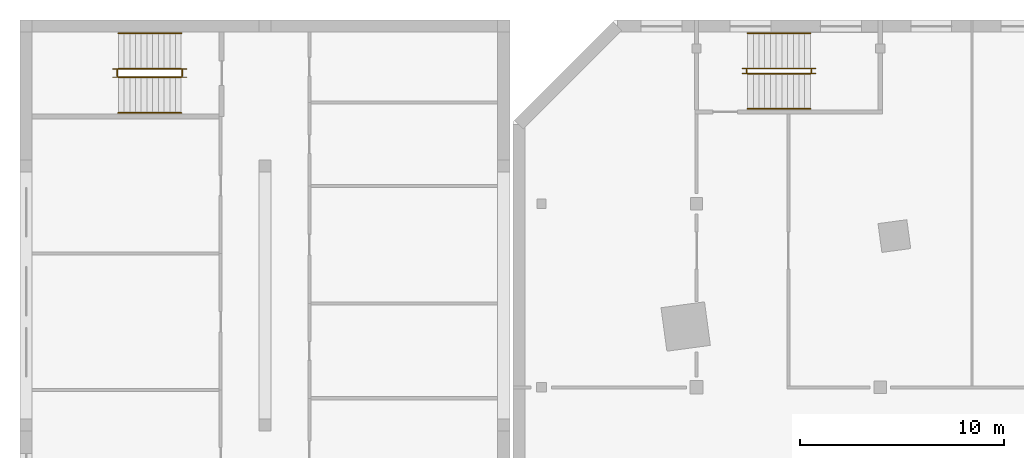
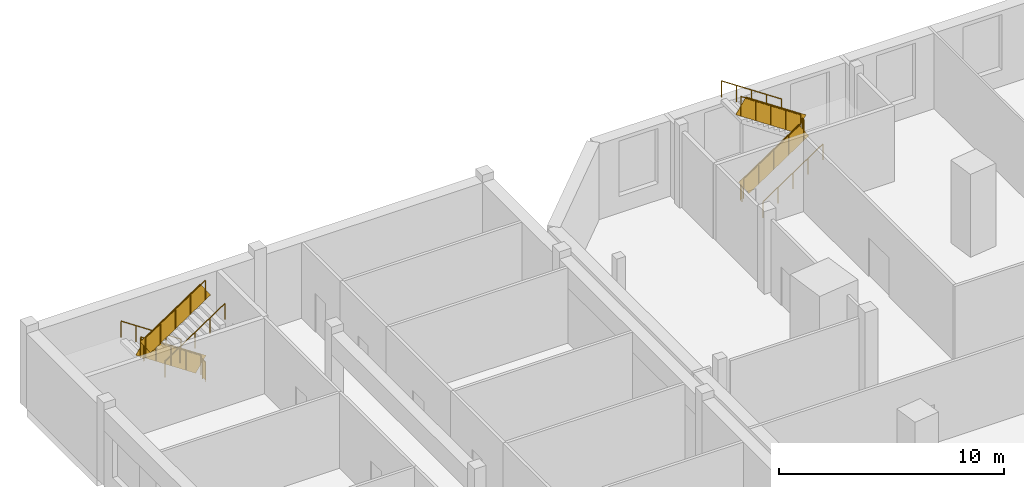
# One storey, part 17 of 18: 12 railings.
"""IFC4 building model written with IfcOpenShell, lengths in metres."""

from ifc_helpers import new_model, si_unit, direction, frame, origin, origin_2d, place, context, subcontext, project, spatial, rectangle, circle, extrude, material, type_object, element, save


model = new_model("IFC4")

# Units and contexts
model_context = context("Model", 3, precision=1e-05, world=origin(), true_north=direction((0.0, 1.0)))
body_context = subcontext(model_context, "Body", "Model", "MODEL_VIEW")
ifc_project = project(units=[si_unit("LENGTHUNIT", "METRE"), si_unit("AREAUNIT", "SQUARE_METRE"), si_unit("VOLUMEUNIT", "CUBIC_METRE"), si_unit("PLANEANGLEUNIT", "RADIAN"), si_unit("MASSUNIT", "GRAM", prefix="KILO")], contexts=[model_context])

# Site, building, storey
site_placement = place(None, origin())
site = spatial("IfcSite", under=ifc_project, at=site_placement, CompositionType="ELEMENT")
building_placement = place(site_placement, origin())
building = spatial("IfcBuilding", under=site, at=building_placement, Name="Dilmun Exchange Tower", CompositionType="ELEMENT")
storey_placement = place(building_placement, frame((0.0, 0.0, 13.5)))
storey = spatial("IfcBuildingStorey", under=building, at=storey_placement, Name="L03", CompositionType="ELEMENT", Elevation=13.5)

# Railings
ifc_material_1 = material(Name="Guard 1100")
railing_type_1 = type_object("IfcRailingType", Name="Guard 1100", PredefinedType="GUARDRAIL", material=ifc_material_1)
railing_1_placement = place(storey_placement, frame((-24.5, 33.3740234375, 0.1875)))
element("IfcRailing", 1, at=railing_1_placement, inside=storey, type_object=railing_type_1, Name="L03 PS1 stair guard 1", PredefinedType="GUARDRAIL", context=body_context, shape_type="SweptSolid", body=[
    extrude(circle(Radius=0.02392578125, at=origin_2d()), frame((0.0, 0.0, 1.076171875), z_axis=(0.830913701846, 0.0, 0.55640131208), x_axis=(0.0, 1.0, 0.0)), (0.0, 0.0, 1.0), 3.706787109375),
    extrude(rectangle(XDim=0.011962890625, YDim=0.951904296875, at=origin_2d()), frame((0.0, 0.0, 0.576171875), z_axis=(0.830913701846, 0.0, 0.55640131208), x_axis=(0.0, 1.0, 0.0)), (0.0, 0.0, 1.0), 3.706787109375),
    extrude(circle(Radius=0.02099609375, at=origin_2d()), origin(), (0.0, 0.0, 1.0), 1.052001953125),
    extrude(circle(Radius=0.02099609375, at=origin_2d()), frame((0.77001953125, 0.0, 0.515625)), (0.0, 0.0, 1.0), 1.052001953125),
    extrude(circle(Radius=0.02099609375, at=origin_2d()), frame((1.5400390625, 0.0, 1.03125)), (0.0, 0.0, 1.0), 1.052001953125),
    extrude(circle(Radius=0.02099609375, at=origin_2d()), frame((2.31005859375, 0.0, 1.546875)), (0.0, 0.0, 1.0), 1.052001953125),
    extrude(circle(Radius=0.02099609375, at=origin_2d()), frame((3.080078125, 0.0, 2.0625)), (0.0, 0.0, 1.0), 1.052001953125),
])
railing_2_placement = place(storey_placement, frame((-21.3701171875, 33.424072265625, 2.25)))
element("IfcRailing", 2, at=railing_2_placement, inside=storey, type_object=railing_type_1, Name="L03 PS1 stair guard 2", PredefinedType="GUARDRAIL", context=body_context, shape_type="SweptSolid", body=[
    extrude(circle(Radius=0.02392578125, at=origin_2d()), frame((0.0, 0.0, 1.076171875), z_axis=(0.0, 1.0, 0.0), x_axis=(-1.0, 0.0, 0.0)), (0.0, 0.0, 1.0), 0.14990234375),
    extrude(rectangle(XDim=0.011962890625, YDim=0.951904296875, at=origin_2d()), frame((0.0, 0.0, 0.576171875), z_axis=(0.0, 1.0, 0.0), x_axis=(-1.0, 0.0, 0.0)), (0.0, 0.0, 1.0), 0.14990234375),
    extrude(circle(Radius=0.02099609375, at=origin_2d()), origin(), (0.0, 0.0, 1.0), 1.052001953125),
    extrude(circle(Radius=0.02099609375, at=origin_2d()), frame((0.0, 0.14990234375, 0.0)), (0.0, 0.0, 1.0), 1.052001953125),
])
railing_3_placement = place(storey_placement, frame((-21.419921875, 33.6240234375, 2.4375)))
element("IfcRailing", 3, at=railing_3_placement, inside=storey, type_object=railing_type_1, Name="L03 PS1 stair guard 3", PredefinedType="GUARDRAIL", context=body_context, shape_type="SweptSolid", body=[
    extrude(circle(Radius=0.02392578125, at=origin_2d()), frame((0.0, 0.0, 1.076171875), z_axis=(-0.830913701846, 0.0, 0.55640131208), x_axis=(0.0, -1.0, 0.0)), (0.0, 0.0, 1.0), 3.706787109375),
    extrude(rectangle(XDim=0.011962890625, YDim=0.951904296875, at=origin_2d()), frame((0.0, 0.0, 0.576171875), z_axis=(-0.830913701846, 0.0, 0.55640131208), x_axis=(0.0, -1.0, 0.0)), (0.0, 0.0, 1.0), 3.706787109375),
    extrude(circle(Radius=0.02099609375, at=origin_2d()), origin(), (0.0, 0.0, 1.0), 1.052001953125),
    extrude(circle(Radius=0.02099609375, at=origin_2d()), frame((-0.77001953125, 0.0, 0.515625)), (0.0, 0.0, 1.0), 1.052001953125),
    extrude(circle(Radius=0.02099609375, at=origin_2d()), frame((-1.5400390625, 0.0, 1.03125)), (0.0, 0.0, 1.0), 1.052001953125),
    extrude(circle(Radius=0.02099609375, at=origin_2d()), frame((-2.31005859375, 0.0, 1.546875)), (0.0, 0.0, 1.0), 1.052001953125),
    extrude(circle(Radius=0.02099609375, at=origin_2d()), frame((-3.080078125, 0.0, 2.0625)), (0.0, 0.0, 1.0), 1.052001953125),
])
railing_4_placement = place(storey_placement, frame((-24.550048828125, 33.424072265625, 0.0)))
element("IfcRailing", 4, at=railing_4_placement, inside=storey, type_object=railing_type_1, Name="L03 PS1 stair guard 4", PredefinedType="GUARDRAIL", context=body_context, shape_type="SweptSolid", body=[
    extrude(circle(Radius=0.02392578125, at=origin_2d()), frame((0.0, 0.0, 1.076171875), z_axis=(0.0, 1.0, 0.0), x_axis=(-1.0, 0.0, 0.0)), (0.0, 0.0, 1.0), 0.14990234375),
    extrude(rectangle(XDim=0.011962890625, YDim=0.951904296875, at=origin_2d()), frame((0.0, 0.0, 0.576171875), z_axis=(0.0, 1.0, 0.0), x_axis=(-1.0, 0.0, 0.0)), (0.0, 0.0, 1.0), 0.14990234375),
    extrude(circle(Radius=0.02099609375, at=origin_2d()), origin(), (0.0, 0.0, 1.0), 1.052001953125),
    extrude(circle(Radius=0.02099609375, at=origin_2d()), frame((0.0, 0.14990234375, 0.0)), (0.0, 0.0, 1.0), 1.052001953125),
])
ifc_material_2 = material(Name="Handrail 900")
railing_type_2 = type_object("IfcRailingType", Name="Handrail 900", PredefinedType="HANDRAIL", material=ifc_material_2)
railing_5_placement = place(storey_placement, frame((-24.5, 31.64990234375, 0.1875)))
element("IfcRailing", 5, at=railing_5_placement, inside=storey, type_object=railing_type_2, Name="L03 PS1 stair handrail 1", PredefinedType="HANDRAIL", context=body_context, shape_type="SweptSolid", body=[
    extrude(circle(Radius=0.02392578125, at=origin_2d()), frame((0.0, 0.0, 0.8759765625), z_axis=(0.830913701846, 0.0, 0.55640131208), x_axis=(0.0, 1.0, 0.0)), (0.0, 0.0, 1.0), 3.706787109375),
    extrude(circle(Radius=0.02099609375, at=origin_2d()), origin(), (0.0, 0.0, 1.0), 0.851806640625),
    extrude(circle(Radius=0.02099609375, at=origin_2d()), frame((0.77001953125, 0.0, 0.515625)), (0.0, 0.0, 1.0), 0.851806640625),
    extrude(circle(Radius=0.02099609375, at=origin_2d()), frame((1.5400390625, 0.0, 1.03125)), (0.0, 0.0, 1.0), 0.851806640625),
    extrude(circle(Radius=0.02099609375, at=origin_2d()), frame((2.31005859375, 0.0, 1.546875)), (0.0, 0.0, 1.0), 0.851806640625),
    extrude(circle(Radius=0.02099609375, at=origin_2d()), frame((3.080078125, 0.0, 2.0625)), (0.0, 0.0, 1.0), 0.851806640625),
])
railing_6_placement = place(storey_placement, frame((-21.419921875, 35.347900390625, 2.4375)))
element("IfcRailing", 6, at=railing_6_placement, inside=storey, type_object=railing_type_2, Name="L03 PS1 stair handrail 2", PredefinedType="HANDRAIL", context=body_context, shape_type="SweptSolid", body=[
    extrude(circle(Radius=0.02392578125, at=origin_2d()), frame((0.0, 0.0, 0.8759765625), z_axis=(-0.830913701846, 0.0, 0.55640131208), x_axis=(0.0, -1.0, 0.0)), (0.0, 0.0, 1.0), 3.706787109375),
    extrude(circle(Radius=0.02099609375, at=origin_2d()), origin(), (0.0, 0.0, 1.0), 0.851806640625),
    extrude(circle(Radius=0.02099609375, at=origin_2d()), frame((-0.77001953125, 0.0, 0.515625)), (0.0, 0.0, 1.0), 0.851806640625),
    extrude(circle(Radius=0.02099609375, at=origin_2d()), frame((-1.5400390625, 0.0, 1.03125)), (0.0, 0.0, 1.0), 0.851806640625),
    extrude(circle(Radius=0.02099609375, at=origin_2d()), frame((-2.31005859375, 0.0, 1.546875)), (0.0, 0.0, 1.0), 0.851806640625),
    extrude(circle(Radius=0.02099609375, at=origin_2d()), frame((-3.080078125, 0.0, 2.0625)), (0.0, 0.0, 1.0), 0.851806640625),
])
ifc_material_3 = material(Name="Steel S355", Category="steel")
railing_type_3 = type_object("IfcRailingType", Name="School stair guard 1100", PredefinedType="GUARDRAIL", material=ifc_material_3)
railing_7_placement = place(storey_placement, frame((-52.25, 33.60009765625, 0.1875)))
element("IfcRailing", 7, at=railing_7_placement, inside=storey, type_object=railing_type_3, Name="L03 SCH-S1 stair guard 1", PredefinedType="GUARDRAIL", context=body_context, shape_type="SweptSolid", body=[
    extrude(circle(Radius=0.02392578125, at=origin_2d()), frame((0.0, 0.0, 1.076171875), z_axis=(-0.830913701846, 0.0, 0.55640131208), x_axis=(0.0, -1.0, 0.0)), (0.0, 0.0, 1.0), 3.706787109375),
    extrude(rectangle(XDim=0.011962890625, YDim=0.951904296875, at=origin_2d()), frame((0.0, 0.0, 0.576171875), z_axis=(-0.830913701846, 0.0, 0.55640131208), x_axis=(0.0, -1.0, 0.0)), (0.0, 0.0, 1.0), 3.706787109375),
    extrude(circle(Radius=0.02099609375, at=origin_2d()), origin(), (0.0, 0.0, 1.0), 1.052001953125),
    extrude(circle(Radius=0.02099609375, at=origin_2d()), frame((-0.77001953125, 0.0, 0.515625)), (0.0, 0.0, 1.0), 1.052001953125),
    extrude(circle(Radius=0.02099609375, at=origin_2d()), frame((-1.5400390625, 0.0, 1.03125)), (0.0, 0.0, 1.0), 1.052001953125),
    extrude(circle(Radius=0.02099609375, at=origin_2d()), frame((-2.31005859375, 0.0, 1.546875)), (0.0, 0.0, 1.0), 1.052001953125),
    extrude(circle(Radius=0.02099609375, at=origin_2d()), frame((-3.080078125, 0.0, 2.0625)), (0.0, 0.0, 1.0), 1.052001953125),
])
railing_8_placement = place(storey_placement, frame((-55.3798828125, 33.550048828125, 2.25)))
element("IfcRailing", 8, at=railing_8_placement, inside=storey, type_object=railing_type_3, Name="L03 SCH-S1 stair guard 2", PredefinedType="GUARDRAIL", context=body_context, shape_type="SweptSolid", body=[
    extrude(circle(Radius=0.02392578125, at=origin_2d()), frame((0.0, 0.0, 1.076171875), z_axis=(0.0, -1.0, 0.0), x_axis=(1.0, 0.0, 0.0)), (0.0, 0.0, 1.0), 0.300048828125),
    extrude(rectangle(XDim=0.011962890625, YDim=0.951904296875, at=origin_2d()), frame((0.0, 0.0, 0.576171875), z_axis=(0.0, -1.0, 0.0), x_axis=(1.0, 0.0, 0.0)), (0.0, 0.0, 1.0), 0.300048828125),
    extrude(circle(Radius=0.02099609375, at=origin_2d()), origin(), (0.0, 0.0, 1.0), 1.052001953125),
    extrude(circle(Radius=0.02099609375, at=origin_2d()), frame((0.0, -0.300048828125, 0.0)), (0.0, 0.0, 1.0), 1.052001953125),
])
railing_9_placement = place(storey_placement, frame((-55.330078125, 33.199951171875, 2.4375)))
element("IfcRailing", 9, at=railing_9_placement, inside=storey, type_object=railing_type_3, Name="L03 SCH-S1 stair guard 3", PredefinedType="GUARDRAIL", context=body_context, shape_type="SweptSolid", body=[
    extrude(circle(Radius=0.02392578125, at=origin_2d()), frame((0.0, 0.0, 1.076171875), z_axis=(0.830913701846, 0.0, 0.55640131208), x_axis=(0.0, 1.0, 0.0)), (0.0, 0.0, 1.0), 3.706787109375),
    extrude(rectangle(XDim=0.011962890625, YDim=0.951904296875, at=origin_2d()), frame((0.0, 0.0, 0.576171875), z_axis=(0.830913701846, 0.0, 0.55640131208), x_axis=(0.0, 1.0, 0.0)), (0.0, 0.0, 1.0), 3.706787109375),
    extrude(circle(Radius=0.02099609375, at=origin_2d()), origin(), (0.0, 0.0, 1.0), 1.052001953125),
    extrude(circle(Radius=0.02099609375, at=origin_2d()), frame((0.77001953125, 0.0, 0.515625)), (0.0, 0.0, 1.0), 1.052001953125),
    extrude(circle(Radius=0.02099609375, at=origin_2d()), frame((1.5400390625, 0.0, 1.03125)), (0.0, 0.0, 1.0), 1.052001953125),
    extrude(circle(Radius=0.02099609375, at=origin_2d()), frame((2.31005859375, 0.0, 1.546875)), (0.0, 0.0, 1.0), 1.052001953125),
    extrude(circle(Radius=0.02099609375, at=origin_2d()), frame((3.080078125, 0.0, 2.0625)), (0.0, 0.0, 1.0), 1.052001953125),
])
railing_10_placement = place(storey_placement, frame((-52.199951171875, 33.550048828125, 0.0)))
element("IfcRailing", 10, at=railing_10_placement, inside=storey, type_object=railing_type_3, Name="L03 SCH-S1 stair guard 4", PredefinedType="GUARDRAIL", context=body_context, shape_type="SweptSolid", body=[
    extrude(circle(Radius=0.02392578125, at=origin_2d()), frame((0.0, 0.0, 1.076171875), z_axis=(0.0, -1.0, 0.0), x_axis=(1.0, 0.0, 0.0)), (0.0, 0.0, 1.0), 0.300048828125),
    extrude(rectangle(XDim=0.011962890625, YDim=0.951904296875, at=origin_2d()), frame((0.0, 0.0, 0.576171875), z_axis=(0.0, -1.0, 0.0), x_axis=(1.0, 0.0, 0.0)), (0.0, 0.0, 1.0), 0.300048828125),
    extrude(circle(Radius=0.02099609375, at=origin_2d()), origin(), (0.0, 0.0, 1.0), 1.052001953125),
    extrude(circle(Radius=0.02099609375, at=origin_2d()), frame((0.0, -0.300048828125, 0.0)), (0.0, 0.0, 1.0), 1.052001953125),
])
railing_type_4 = type_object("IfcRailingType", Name="School stair handrail 900", PredefinedType="HANDRAIL", material=ifc_material_3)
railing_11_placement = place(storey_placement, frame((-52.25, 35.35009765625, 0.1875)))
element("IfcRailing", 11, at=railing_11_placement, inside=storey, type_object=railing_type_4, Name="L03 SCH-S1 stair handrail 1", PredefinedType="HANDRAIL", context=body_context, shape_type="SweptSolid", body=[
    extrude(circle(Radius=0.02392578125, at=origin_2d()), frame((0.0, 0.0, 0.8759765625), z_axis=(-0.830913701846, 0.0, 0.55640131208), x_axis=(0.0, -1.0, 0.0)), (0.0, 0.0, 1.0), 3.706787109375),
    extrude(circle(Radius=0.02099609375, at=origin_2d()), origin(), (0.0, 0.0, 1.0), 0.851806640625),
    extrude(circle(Radius=0.02099609375, at=origin_2d()), frame((-0.77001953125, 0.0, 0.515625)), (0.0, 0.0, 1.0), 0.851806640625),
    extrude(circle(Radius=0.02099609375, at=origin_2d()), frame((-1.5400390625, 0.0, 1.03125)), (0.0, 0.0, 1.0), 0.851806640625),
    extrude(circle(Radius=0.02099609375, at=origin_2d()), frame((-2.31005859375, 0.0, 1.546875)), (0.0, 0.0, 1.0), 0.851806640625),
    extrude(circle(Radius=0.02099609375, at=origin_2d()), frame((-3.080078125, 0.0, 2.0625)), (0.0, 0.0, 1.0), 0.851806640625),
])
railing_12_placement = place(storey_placement, frame((-55.330078125, 31.449951171875, 2.4375)))
element("IfcRailing", 12, at=railing_12_placement, inside=storey, type_object=railing_type_4, Name="L03 SCH-S1 stair handrail 2", PredefinedType="HANDRAIL", context=body_context, shape_type="SweptSolid", body=[
    extrude(circle(Radius=0.02392578125, at=origin_2d()), frame((0.0, 0.0, 0.8759765625), z_axis=(0.830913701846, 0.0, 0.55640131208), x_axis=(0.0, 1.0, 0.0)), (0.0, 0.0, 1.0), 3.706787109375),
    extrude(circle(Radius=0.02099609375, at=origin_2d()), origin(), (0.0, 0.0, 1.0), 0.851806640625),
    extrude(circle(Radius=0.02099609375, at=origin_2d()), frame((0.77001953125, 0.0, 0.515625)), (0.0, 0.0, 1.0), 0.851806640625),
    extrude(circle(Radius=0.02099609375, at=origin_2d()), frame((1.5400390625, 0.0, 1.03125)), (0.0, 0.0, 1.0), 0.851806640625),
    extrude(circle(Radius=0.02099609375, at=origin_2d()), frame((2.31005859375, 0.0, 1.546875)), (0.0, 0.0, 1.0), 0.851806640625),
    extrude(circle(Radius=0.02099609375, at=origin_2d()), frame((3.080078125, 0.0, 2.0625)), (0.0, 0.0, 1.0), 0.851806640625),
])

save(model, "model.ifc")
